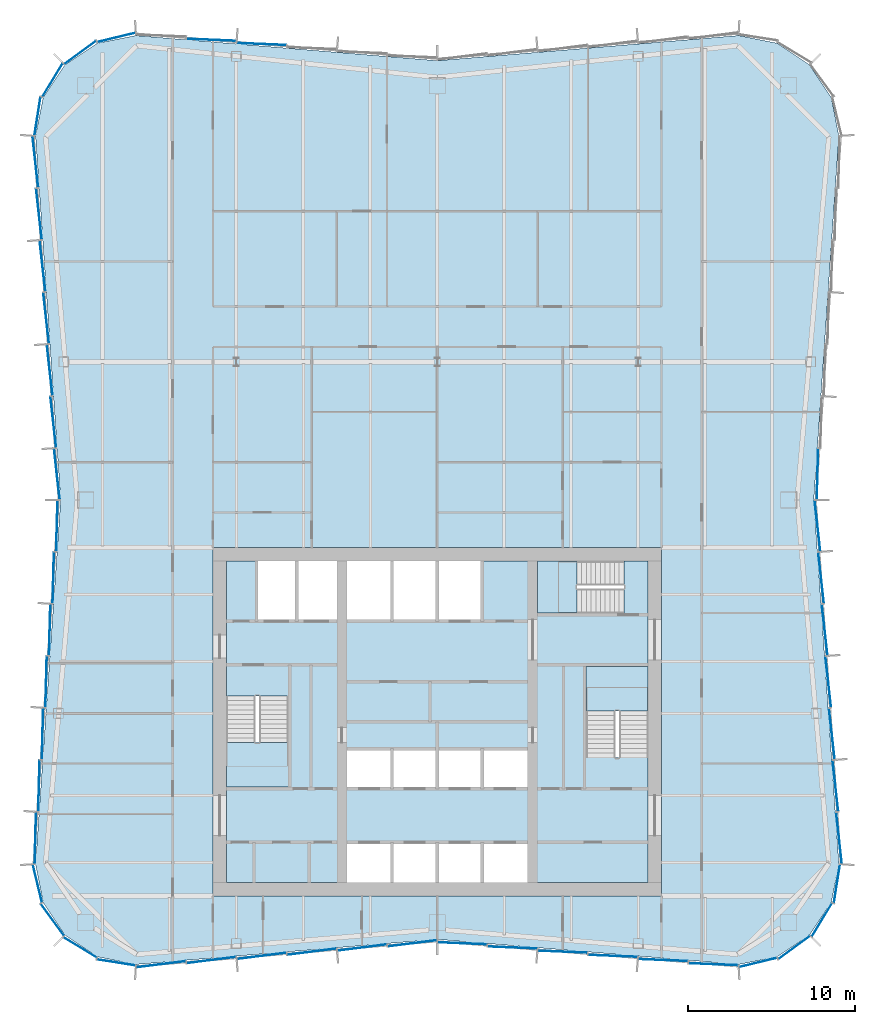
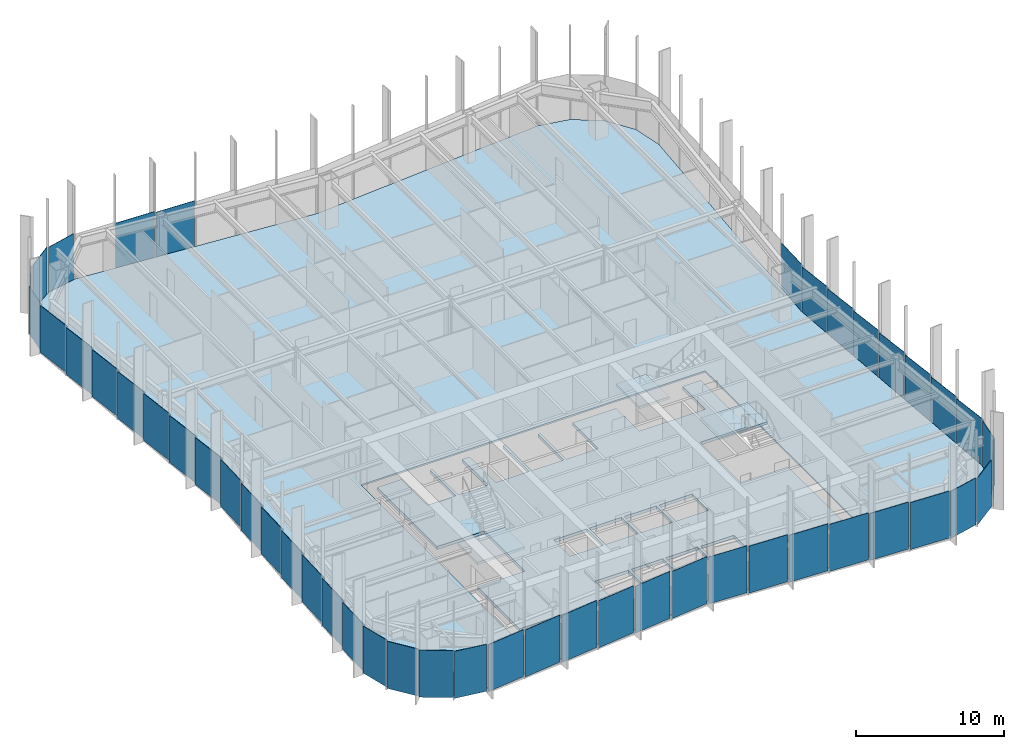
# One storey, part 9 of 15: 48 plates, 5 slabs, 10 elements without a shape of their own.
"""IFC4 building model written with IfcOpenShell, lengths in metres."""

from ifc_helpers import new_model, si_unit, direction, frame, origin, origin_2d, place, context, subcontext, project, spatial, polyline, rectangle, outline, extrude, material, layer, layer_set, type_object, element, aggregate, save


model = new_model("IFC4")

# Units and contexts
model_context = context("Model", 3, precision=1e-05, world=origin(), true_north=direction((0.0, 1.0)))
body_context = subcontext(model_context, "Body", "Model", "MODEL_VIEW")
ifc_project = project(units=[si_unit("LENGTHUNIT", "METRE"), si_unit("AREAUNIT", "SQUARE_METRE"), si_unit("VOLUMEUNIT", "CUBIC_METRE"), si_unit("PLANEANGLEUNIT", "RADIAN"), si_unit("MASSUNIT", "GRAM", prefix="KILO")], contexts=[model_context])

# Site, building, storey
site_placement = place(None, origin())
site = spatial("IfcSite", under=ifc_project, at=site_placement, CompositionType="ELEMENT")
building_placement = place(site_placement, origin())
building = spatial("IfcBuilding", under=site, at=building_placement, Name="Verdant Reach Tower", CompositionType="ELEMENT")
storey_placement = place(building_placement, frame((0.0, 0.0, 274.0)))
storey = spatial("IfcBuildingStorey", under=building, at=storey_placement, Name="L63", CompositionType="ELEMENT", Elevation=274.0)

# Stair, slab
ifc_material_1 = material(Name="Concrete C40/50", Category="concrete")
stair_type = type_object("IfcStairType", Name="CO-STAIR", PredefinedType="HALF_TURN_STAIR", material=ifc_material_1)
stair_1_placement = place(storey_placement, origin())
stair_1 = element("IfcStair", 1, at=stair_1_placement, inside=storey, type_object=stair_type, Name="L63 Exit stair 1", PredefinedType="HALF_TURN_STAIR")
ifc_layer_1 = layer(ifc_material_1, 0.199951171875)
ifc_layer_set_1 = layer_set([ifc_layer_1], Name="CO-STAIR-LANDING")
slab_type_1 = type_object("IfcSlabType", Name="CO-STAIR-LANDING", PredefinedType="LANDING", material=ifc_layer_set_1)
slab_1_placement = place(storey_placement, frame((0.0, 0.0, 1.800048828125)))
slab_1 = element("IfcSlab", 2, at=slab_1_placement, type_object=slab_type_1, Name="ST-1 landing 1", PredefinedType="LANDING", context=body_context, shape_type="SweptSolid", body=[
    extrude(outline(polyline([(-12.60009765625, 26.75), (-12.60009765625, 24.10009765625), (-8.89990234375, 24.10009765625), (-8.89990234375, 26.75), (-12.60009765625, 26.75)])), origin(), (0.0, 0.0, 1.0), 0.199951171875),
])
aggregate(stair_1, [slab_1])

stair_2_placement = place(storey_placement, origin())
stair_2 = element("IfcStair", 3, at=stair_2_placement, inside=storey, type_object=stair_type, Name="L63 Exit stair 2", PredefinedType="HALF_TURN_STAIR")
slab_2_placement = place(storey_placement, frame((0.0, 0.0, 1.800048828125)))
slab_2 = element("IfcSlab", 4, at=slab_2_placement, type_object=slab_type_1, Name="ST-2 landing 1", PredefinedType="LANDING", context=body_context, shape_type="SweptSolid", body=[
    extrude(outline(polyline([(12.60009765625, 28.64990234375), (12.60009765625, 31.300048828125), (8.89990234375, 31.300048828125), (8.89990234375, 28.64990234375), (12.60009765625, 28.64990234375)])), origin(), (0.0, 0.0, 1.0), 0.199951171875),
])
aggregate(stair_2, [slab_2])

stair_3_placement = place(storey_placement, origin())
stair_3 = element("IfcStair", 5, at=stair_3_placement, inside=storey, type_object=stair_type, Name="L63 Exit stair 3", PredefinedType="HALF_TURN_STAIR")
slab_3_placement = place(storey_placement, frame((0.0, 0.0, 1.800048828125)))
slab_3 = element("IfcSlab", 6, at=slab_3_placement, type_object=slab_type_1, Name="ST-3 landing 1", PredefinedType="LANDING", context=body_context, shape_type="SweptSolid", body=[
    extrude(outline(polyline([(8.35009765625, 37.60009765625), (6.0, 37.60009765625), (6.0, 34.5), (8.35009765625, 34.5), (8.35009765625, 37.60009765625)])), origin(), (0.0, 0.0, 1.0), 0.199951171875),
])
aggregate(stair_3, [slab_3])

# Curtain wall, plates
ifc_material_2 = material(Name="Anodised aluminium", Category="aluminium")
curtain_wall_type = type_object("IfcCurtainWallType", Name="EN-CW SYSTEM Z4", PredefinedType="NOTDEFINED", material=ifc_material_2)
curtain_wall_1_placement = place(storey_placement, origin())
curtain_wall_1 = element("IfcCurtainWall", 7, at=curtain_wall_1_placement, inside=storey, type_object=curtain_wall_type, Name="Curtain wall south-east corner, L63", PredefinedType="NOTDEFINED")
ifc_material_3 = material(Name="Tinted glass with champagne spandrel", Category="glass")
ifc_layer_2 = layer(ifc_material_3, 0.031982421875)
ifc_layer_set_2 = layer_set([ifc_layer_2], Name="EN-PANEL CHAMPAGNE")
plate_type_1 = type_object("IfcPlateType", Name="EN-PANEL CHAMPAGNE", PredefinedType="CURTAIN_PANEL", material=ifc_layer_set_2)
plate_1_placement = place(storey_placement, frame((22.984375, 16.169677734375, -0.221923828125), z_axis=(0.0, 0.0, 1.0), x_axis=(0.520291539577, 0.853988708265, 0.0)))
plate_1 = element("IfcPlate", 8, at=plate_1_placement, type_object=plate_type_1, Name="Glass panel south-east corner 3.1, L63", PredefinedType="CURTAIN_PANEL", context=body_context, shape_type="SweptSolid", body=[
    extrude(rectangle(XDim=2.32080078125, YDim=0.031982421875, at=origin_2d()), origin(), (0.0, 0.0, 1.0), 3.8720703125),
])
plate_2_placement = place(storey_placement, frame((23.87939453125, 18.326904296875, -0.221923828125), z_axis=(0.0, 0.0, 1.0), x_axis=(0.154324690427, 0.988020187003, 0.0)))
plate_2 = element("IfcPlate", 9, at=plate_2_placement, type_object=plate_type_1, Name="Glass panel south-east corner 4.1, L63", PredefinedType="CURTAIN_PANEL", context=body_context, shape_type="SweptSolid", body=[
    extrude(rectangle(XDim=2.313720703125, YDim=0.031982421875, at=origin_2d()), origin(), (0.0, 0.0, 1.0), 3.8720703125),
])

curtain_wall_2_placement = place(storey_placement, origin())
curtain_wall_2 = element("IfcCurtainWall", 10, at=curtain_wall_2_placement, inside=storey, type_object=curtain_wall_type, Name="Curtain wall east, L63", PredefinedType="NOTDEFINED")
plate_3_placement = place(storey_placement, frame((24.004638671875, 21.053955078125, -0.221923828125), z_axis=(0.0, 0.0, 1.0), x_axis=(-0.110205903836, 0.993908777886, 0.0)))
plate_3 = element("IfcPlate", 11, at=plate_3_placement, type_object=plate_type_1, Name="Glass panel east face part 1 1.1, L63", PredefinedType="CURTAIN_PANEL", context=body_context, shape_type="SweptSolid", body=[
    extrude(rectangle(XDim=3.0654296875, YDim=0.031982421875, at=origin_2d()), origin(), (0.0, 0.0, 1.0), 3.8720703125),
])
plate_4_placement = place(storey_placement, frame((23.790283203125, 24.16845703125, -0.221923828125), z_axis=(0.0, 0.0, 1.0), x_axis=(-0.110518162674, 0.993874104562, 0.0)))
plate_4 = element("IfcPlate", 12, at=plate_4_placement, type_object=plate_type_1, Name="Glass panel east face part 1 2.1, L63", PredefinedType="CURTAIN_PANEL", context=body_context, shape_type="SweptSolid", body=[
    extrude(rectangle(XDim=3.050537109375, YDim=0.031982421875, at=origin_2d()), origin(), (0.0, 0.0, 1.0), 3.8720703125),
])
plate_5_placement = place(storey_placement, frame((23.575927734375, 27.275634765625, -0.221923828125), z_axis=(0.0, 0.0, 1.0), x_axis=(-0.110518162674, 0.993874104562, 0.0)))
plate_5 = element("IfcPlate", 13, at=plate_5_placement, type_object=plate_type_1, Name="Glass panel east face part 1 3.1, L63", PredefinedType="CURTAIN_PANEL", context=body_context, shape_type="SweptSolid", body=[
    extrude(rectangle(XDim=3.050537109375, YDim=0.031982421875, at=origin_2d()), origin(), (0.0, 0.0, 1.0), 3.8720703125),
])

# Curtain wall, plate
curtain_wall_3_placement = place(storey_placement, origin())
curtain_wall_3 = element("IfcCurtainWall", 14, at=curtain_wall_3_placement, inside=storey, type_object=curtain_wall_type, Name="Curtain wall north-west corner, L63", PredefinedType="NOTDEFINED")
plate_6_placement = place(storey_placement, frame((-19.172607421875, 68.87939453125, -0.221923828125), z_axis=(0.0, 0.0, 1.0), x_axis=(-0.971652337104, -0.236414330786, 0.0)))
plate_6 = element("IfcPlate", 15, at=plate_6_placement, type_object=plate_type_1, Name="Glass panel north-west corner 1.1, L63", PredefinedType="CURTAIN_PANEL", context=body_context, shape_type="SweptSolid", body=[
    extrude(rectangle(XDim=2.314453125, YDim=0.031982421875, at=origin_2d()), origin(), (0.0, 0.0, 1.0), 3.8720703125),
])

# Curtain wall, plates
curtain_wall_4_placement = place(storey_placement, origin())
curtain_wall_4 = element("IfcCurtainWall", 16, at=curtain_wall_4_placement, inside=storey, type_object=curtain_wall_type, Name="Curtain wall west, L63", PredefinedType="NOTDEFINED")
plate_7_placement = place(storey_placement, frame((-23.1474609375, 49.01025390625, -0.221923828125), z_axis=(0.0, 0.0, 1.0), x_axis=(0.110518162674, -0.993874104562, 0.0)))
plate_7 = element("IfcPlate", 17, at=plate_7_placement, type_object=plate_type_1, Name="Glass panel west face part 1 5.1, L63", PredefinedType="CURTAIN_PANEL", context=body_context, shape_type="SweptSolid", body=[
    extrude(rectangle(XDim=3.050537109375, YDim=0.031982421875, at=origin_2d()), origin(), (0.0, 0.0, 1.0), 3.8720703125),
])
plate_8_placement = place(storey_placement, frame((-22.93310546875, 45.903076171875, -0.221923828125), z_axis=(0.0, 0.0, 1.0), x_axis=(0.110518162674, -0.993874104562, 0.0)))
plate_8 = element("IfcPlate", 18, at=plate_8_placement, type_object=plate_type_1, Name="Glass panel west face part 1 6.1, L63", PredefinedType="CURTAIN_PANEL", context=body_context, shape_type="SweptSolid", body=[
    extrude(rectangle(XDim=3.050537109375, YDim=0.031982421875, at=origin_2d()), origin(), (0.0, 0.0, 1.0), 3.8720703125),
])
plate_9_placement = place(storey_placement, frame((-22.718994140625, 42.7998046875, -0.221923828125), z_axis=(0.0, 0.0, 1.0), x_axis=(0.110603065042, -0.993864659802, 0.0)))
plate_9 = element("IfcPlate", 19, at=plate_9_placement, type_object=plate_type_1, Name="Glass panel west face part 1 7.1, L63", PredefinedType="CURTAIN_PANEL", context=body_context, shape_type="SweptSolid", body=[
    extrude(rectangle(XDim=3.042724609375, YDim=0.031982421875, at=origin_2d()), origin(), (0.0, 0.0, 1.0), 3.8720703125),
])
plate_10_placement = place(storey_placement, frame((-22.718994140625, 39.7001953125, -0.221923828125), z_axis=(0.0, 0.0, 1.0), x_axis=(-0.027050713229, -0.999634062502, 0.0)))
plate_10 = element("IfcPlate", 20, at=plate_10_placement, type_object=plate_type_1, Name="Glass panel west face part 2 1.1, L63", PredefinedType="CURTAIN_PANEL", context=body_context, shape_type="SweptSolid", body=[
    extrude(rectangle(XDim=3.042724609375, YDim=0.031982421875, at=origin_2d()), origin(), (0.0, 0.0, 1.0), 3.8720703125),
])
plate_11_placement = place(storey_placement, frame((-24.004638671875, 21.053955078125, -0.221923828125), z_axis=(0.0, 0.0, 1.0), x_axis=(-0.026651253217, -0.999644792265, 0.0)))
plate_11 = element("IfcPlate", 21, at=plate_11_placement, type_object=plate_type_1, Name="Glass panel west face part 2 7.1, L63", PredefinedType="CURTAIN_PANEL", context=body_context, shape_type="SweptSolid", body=[
    extrude(rectangle(XDim=3.0654296875, YDim=0.031982421875, at=origin_2d()), origin(), (0.0, 0.0, 1.0), 3.8720703125),
])

curtain_wall_5_placement = place(storey_placement, origin())
curtain_wall_5 = element("IfcCurtainWall", 22, at=curtain_wall_5_placement, inside=storey, type_object=curtain_wall_type, Name="Curtain wall south, L63", PredefinedType="NOTDEFINED")
plate_12_placement = place(storey_placement, frame((-10.49072265625, 14.013427734375, -0.221923828125), z_axis=(0.0, 0.0, 1.0), x_axis=(0.992194034542, 0.124703639961, 0.0)))
plate_12 = element("IfcPlate", 23, at=plate_12_placement, type_object=plate_type_1, Name="Glass panel south face part 1 3.1, L63", PredefinedType="CURTAIN_PANEL", context=body_context, shape_type="SweptSolid", body=[
    extrude(rectangle(XDim=2.9462890625, YDim=0.031982421875, at=origin_2d()), origin(), (0.0, 0.0, 1.0), 3.8720703125),
])
plate_13_placement = place(storey_placement, frame((-7.49072265625, 14.263427734375, -0.221923828125), z_axis=(0.0, 0.0, 1.0), x_axis=(0.992194034542, 0.124703639961, 0.0)))
plate_13 = element("IfcPlate", 24, at=plate_13_placement, type_object=plate_type_1, Name="Glass panel south face part 1 4.1, L63", PredefinedType="CURTAIN_PANEL", context=body_context, shape_type="SweptSolid", body=[
    extrude(rectangle(XDim=2.9462890625, YDim=0.031982421875, at=origin_2d()), origin(), (0.0, 0.0, 1.0), 3.8720703125),
])
plate_14_placement = place(storey_placement, frame((-4.49072265625, 14.513427734375, -0.221923828125), z_axis=(0.0, 0.0, 1.0), x_axis=(0.992194034542, 0.124703639961, 0.0)))
plate_14 = element("IfcPlate", 25, at=plate_14_placement, type_object=plate_type_1, Name="Glass panel south face part 1 5.1, L63", PredefinedType="CURTAIN_PANEL", context=body_context, shape_type="SweptSolid", body=[
    extrude(rectangle(XDim=2.9462890625, YDim=0.031982421875, at=origin_2d()), origin(), (0.0, 0.0, 1.0), 3.8720703125),
])
plate_15_placement = place(storey_placement, frame((13.49072265625, 13.763427734375, -0.221923828125), z_axis=(0.0, 0.0, 1.0), x_axis=(0.999149202059, -0.041241629766, 0.0)))
plate_15 = element("IfcPlate", 26, at=plate_15_placement, type_object=plate_type_1, Name="Glass panel south face part 2 5.1, L63", PredefinedType="CURTAIN_PANEL", context=body_context, shape_type="SweptSolid", body=[
    extrude(rectangle(XDim=2.9462890625, YDim=0.031982421875, at=origin_2d()), origin(), (0.0, 0.0, 1.0), 3.8720703125),
])
plate_16_placement = place(storey_placement, frame((16.49853515625, 13.51318359375, -0.221923828125), z_axis=(0.0, 0.0, 1.0), x_axis=(0.999164016711, -0.040881141246, 0.0)))
plate_16 = element("IfcPlate", 27, at=plate_16_placement, type_object=plate_type_1, Name="Glass panel south face part 2 6.1, L63", PredefinedType="CURTAIN_PANEL", context=body_context, shape_type="SweptSolid", body=[
    extrude(rectangle(XDim=2.9619140625, YDim=0.031982421875, at=origin_2d()), origin(), (0.0, 0.0, 1.0), 3.8720703125),
])

# Plate
ifc_material_4 = material(Name="Tinted glass with copper spandrel", Category="glass")
ifc_layer_3 = layer(ifc_material_4, 0.031982421875)
ifc_layer_set_3 = layer_set([ifc_layer_3], Name="EN-PANEL COPPER")
plate_type_2 = type_object("IfcPlateType", Name="EN-PANEL COPPER", PredefinedType="CURTAIN_PANEL", material=ifc_layer_set_3)
plate_17_placement = place(storey_placement, frame((23.36181640625, 30.3828125, -0.221923828125), z_axis=(0.0, 0.0, 1.0), x_axis=(-0.110518162674, 0.993874104562, 0.0)))
plate_17 = element("IfcPlate", 28, at=plate_17_placement, type_object=plate_type_2, Name="Glass panel east face part 1 4.1, L63", PredefinedType="CURTAIN_PANEL", context=body_context, shape_type="SweptSolid", body=[
    extrude(rectangle(XDim=3.050537109375, YDim=0.031982421875, at=origin_2d()), origin(), (0.0, 0.0, 1.0), 3.8720703125),
])

plate_18_placement = place(storey_placement, frame((23.1474609375, 33.48974609375, -0.221923828125), z_axis=(0.0, 0.0, 1.0), x_axis=(-0.110518162674, 0.993874104562, 0.0)))
plate_18 = element("IfcPlate", 29, at=plate_18_placement, type_object=plate_type_2, Name="Glass panel east face part 1 5.1, L63", PredefinedType="CURTAIN_PANEL", context=body_context, shape_type="SweptSolid", body=[
    extrude(rectangle(XDim=3.050537109375, YDim=0.031982421875, at=origin_2d()), origin(), (0.0, 0.0, 1.0), 3.8720703125),
])

# Curtain wall, plates
curtain_wall_6_placement = place(storey_placement, origin())
curtain_wall_6 = element("IfcCurtainWall", 30, at=curtain_wall_6_placement, inside=storey, type_object=curtain_wall_type, Name="Curtain wall north, L63", PredefinedType="NOTDEFINED")
plate_19_placement = place(storey_placement, frame((-10.49072265625, 68.486572265625, -0.221923828125), z_axis=(0.0, 0.0, 1.0), x_axis=(-0.999149202059, 0.041241629766, 0.0)))
plate_19 = element("IfcPlate", 31, at=plate_19_placement, type_object=plate_type_2, Name="Glass panel north face part 2 4.1, L63", PredefinedType="CURTAIN_PANEL", context=body_context, shape_type="SweptSolid", body=[
    extrude(rectangle(XDim=2.9462890625, YDim=0.031982421875, at=origin_2d()), origin(), (0.0, 0.0, 1.0), 3.8720703125),
])
plate_20_placement = place(storey_placement, frame((-13.49072265625, 68.736572265625, -0.221923828125), z_axis=(0.0, 0.0, 1.0), x_axis=(-0.999149202059, 0.041241629766, 0.0)))
plate_20 = element("IfcPlate", 32, at=plate_20_placement, type_object=plate_type_2, Name="Glass panel north face part 2 5.1, L63", PredefinedType="CURTAIN_PANEL", context=body_context, shape_type="SweptSolid", body=[
    extrude(rectangle(XDim=2.9462890625, YDim=0.031982421875, at=origin_2d()), origin(), (0.0, 0.0, 1.0), 3.8720703125),
])
aggregate(curtain_wall_6, [plate_19, plate_20])

# Plate
plate_21_placement = place(storey_placement, frame((-21.330322265625, 67.984375, -0.221923828125), z_axis=(0.0, 0.0, 1.0), x_axis=(-0.80745677573, -0.589926737254, 0.0)))
plate_21 = element("IfcPlate", 33, at=plate_21_placement, type_object=plate_type_2, Name="Glass panel north-west corner 2.1, L63", PredefinedType="CURTAIN_PANEL", context=body_context, shape_type="SweptSolid", body=[
    extrude(rectangle(XDim=2.32080078125, YDim=0.031982421875, at=origin_2d()), origin(), (0.0, 0.0, 1.0), 3.8720703125),
])

plate_22_placement = place(storey_placement, frame((-22.984375, 66.330322265625, -0.221923828125), z_axis=(0.0, 0.0, 1.0), x_axis=(-0.520291539577, -0.853988708265, 0.0)))
plate_22 = element("IfcPlate", 34, at=plate_22_placement, type_object=plate_type_2, Name="Glass panel north-west corner 3.1, L63", PredefinedType="CURTAIN_PANEL", context=body_context, shape_type="SweptSolid", body=[
    extrude(rectangle(XDim=2.32080078125, YDim=0.031982421875, at=origin_2d()), origin(), (0.0, 0.0, 1.0), 3.8720703125),
])

plate_23_placement = place(storey_placement, frame((-23.87939453125, 64.173095703125, -0.221923828125), z_axis=(0.0, 0.0, 1.0), x_axis=(-0.154324690427, -0.988020187003, 0.0)))
plate_23 = element("IfcPlate", 35, at=plate_23_placement, type_object=plate_type_2, Name="Glass panel north-west corner 4.1, L63", PredefinedType="CURTAIN_PANEL", context=body_context, shape_type="SweptSolid", body=[
    extrude(rectangle(XDim=2.313720703125, YDim=0.031982421875, at=origin_2d()), origin(), (0.0, 0.0, 1.0), 3.8720703125),
])

aggregate(curtain_wall_3, [plate_6, plate_21, plate_22, plate_23])

plate_24_placement = place(storey_placement, frame((-24.004638671875, 61.446044921875, -0.221923828125), z_axis=(0.0, 0.0, 1.0), x_axis=(0.110205903836, -0.993908777886, 0.0)))
plate_24 = element("IfcPlate", 36, at=plate_24_placement, type_object=plate_type_2, Name="Glass panel west face part 1 1.1, L63", PredefinedType="CURTAIN_PANEL", context=body_context, shape_type="SweptSolid", body=[
    extrude(rectangle(XDim=3.0654296875, YDim=0.031982421875, at=origin_2d()), origin(), (0.0, 0.0, 1.0), 3.8720703125),
])

plate_25_placement = place(storey_placement, frame((-23.790283203125, 58.33154296875, -0.221923828125), z_axis=(0.0, 0.0, 1.0), x_axis=(0.110518162674, -0.993874104562, 0.0)))
plate_25 = element("IfcPlate", 37, at=plate_25_placement, type_object=plate_type_2, Name="Glass panel west face part 1 2.1, L63", PredefinedType="CURTAIN_PANEL", context=body_context, shape_type="SweptSolid", body=[
    extrude(rectangle(XDim=3.050537109375, YDim=0.031982421875, at=origin_2d()), origin(), (0.0, 0.0, 1.0), 3.8720703125),
])

plate_26_placement = place(storey_placement, frame((-22.93310546875, 36.596923828125, -0.221923828125), z_axis=(0.0, 0.0, 1.0), x_axis=(-0.026965318308, -0.999636369691, 0.0)))
plate_26 = element("IfcPlate", 38, at=plate_26_placement, type_object=plate_type_2, Name="Glass panel west face part 2 2.1, L63", PredefinedType="CURTAIN_PANEL", context=body_context, shape_type="SweptSolid", body=[
    extrude(rectangle(XDim=3.050537109375, YDim=0.031982421875, at=origin_2d()), origin(), (0.0, 0.0, 1.0), 3.8720703125),
])

plate_27_placement = place(storey_placement, frame((-23.1474609375, 33.48974609375, -0.221923828125), z_axis=(0.0, 0.0, 1.0), x_axis=(-0.026965318308, -0.999636369691, 0.0)))
plate_27 = element("IfcPlate", 39, at=plate_27_placement, type_object=plate_type_2, Name="Glass panel west face part 2 3.1, L63", PredefinedType="CURTAIN_PANEL", context=body_context, shape_type="SweptSolid", body=[
    extrude(rectangle(XDim=3.050537109375, YDim=0.031982421875, at=origin_2d()), origin(), (0.0, 0.0, 1.0), 3.8720703125),
])

# Curtain wall, plates
curtain_wall_7_placement = place(storey_placement, origin())
curtain_wall_7 = element("IfcCurtainWall", 40, at=curtain_wall_7_placement, inside=storey, type_object=curtain_wall_type, Name="Curtain wall south-west corner, L63", PredefinedType="NOTDEFINED")
plate_28_placement = place(storey_placement, frame((-23.87939453125, 18.326904296875, -0.221923828125), z_axis=(0.0, 0.0, 1.0), x_axis=(0.236458850433, -0.971641503875, 0.0)))
plate_28 = element("IfcPlate", 41, at=plate_28_placement, type_object=plate_type_2, Name="Glass panel south-west corner 1.1, L63", PredefinedType="CURTAIN_PANEL", context=body_context, shape_type="SweptSolid", body=[
    extrude(rectangle(XDim=2.313720703125, YDim=0.031982421875, at=origin_2d()), origin(), (0.0, 0.0, 1.0), 3.8720703125),
])
plate_29_placement = place(storey_placement, frame((-22.984375, 16.169677734375, -0.221923828125), z_axis=(0.0, 0.0, 1.0), x_axis=(0.589926737254, -0.80745677573, 0.0)))
plate_29 = element("IfcPlate", 42, at=plate_29_placement, type_object=plate_type_2, Name="Glass panel south-west corner 2.1, L63", PredefinedType="CURTAIN_PANEL", context=body_context, shape_type="SweptSolid", body=[
    extrude(rectangle(XDim=2.32080078125, YDim=0.031982421875, at=origin_2d()), origin(), (0.0, 0.0, 1.0), 3.8720703125),
])

# Plate
plate_30_placement = place(storey_placement, frame((-1.495361328125, 14.76318359375, -0.221923828125), z_axis=(0.0, 0.0, 1.0), x_axis=(0.992177950603, 0.124831543836, 0.0)))
plate_30 = element("IfcPlate", 43, at=plate_30_placement, type_object=plate_type_2, Name="Glass panel south face part 1 6.1, L63", PredefinedType="CURTAIN_PANEL", context=body_context, shape_type="SweptSolid", body=[
    extrude(rectangle(XDim=2.93701171875, YDim=0.031982421875, at=origin_2d()), origin(), (0.0, 0.0, 1.0), 3.8720703125),
])

plate_31_placement = place(storey_placement, frame((1.495361328125, 14.76318359375, -0.221923828125), z_axis=(0.0, 0.0, 1.0), x_axis=(0.999143877249, -0.041370430933, 0.0)))
plate_31 = element("IfcPlate", 44, at=plate_31_placement, type_object=plate_type_2, Name="Glass panel south face part 2 1.1, L63", PredefinedType="CURTAIN_PANEL", context=body_context, shape_type="SweptSolid", body=[
    extrude(rectangle(XDim=2.93701171875, YDim=0.031982421875, at=origin_2d()), origin(), (0.0, 0.0, 1.0), 3.8720703125),
])

ifc_material_5 = material(Name="Tinted glass with dark bronze spandrel", Category="glass")
ifc_layer_4 = layer(ifc_material_5, 0.031982421875)
ifc_layer_set_4 = layer_set([ifc_layer_4], Name="EN-PANEL DARK")
plate_type_3 = type_object("IfcPlateType", Name="EN-PANEL DARK", PredefinedType="CURTAIN_PANEL", material=ifc_layer_set_4)
plate_32_placement = place(storey_placement, frame((19.172607421875, 13.62060546875, -0.221923828125), z_axis=(0.0, 0.0, 1.0), x_axis=(0.971652337104, 0.236414330786, 0.0)))
plate_32 = element("IfcPlate", 45, at=plate_32_placement, type_object=plate_type_3, Name="Glass panel south-east corner 1.1, L63", PredefinedType="CURTAIN_PANEL", context=body_context, shape_type="SweptSolid", body=[
    extrude(rectangle(XDim=2.314453125, YDim=0.031982421875, at=origin_2d()), origin(), (0.0, 0.0, 1.0), 3.8720703125),
])

plate_33_placement = place(storey_placement, frame((21.330322265625, 14.515625, -0.221923828125), z_axis=(0.0, 0.0, 1.0), x_axis=(0.80745677573, 0.589926737254, 0.0)))
plate_33 = element("IfcPlate", 46, at=plate_33_placement, type_object=plate_type_3, Name="Glass panel south-east corner 2.1, L63", PredefinedType="CURTAIN_PANEL", context=body_context, shape_type="SweptSolid", body=[
    extrude(rectangle(XDim=2.32080078125, YDim=0.031982421875, at=origin_2d()), origin(), (0.0, 0.0, 1.0), 3.8720703125),
])

aggregate(curtain_wall_1, [plate_32, plate_33, plate_1, plate_2])

plate_34_placement = place(storey_placement, frame((22.93310546875, 36.596923828125, -0.221923828125), z_axis=(0.0, 0.0, 1.0), x_axis=(-0.110518162674, 0.993874104562, 0.0)))
plate_34 = element("IfcPlate", 47, at=plate_34_placement, type_object=plate_type_3, Name="Glass panel east face part 1 6.1, L63", PredefinedType="CURTAIN_PANEL", context=body_context, shape_type="SweptSolid", body=[
    extrude(rectangle(XDim=3.050537109375, YDim=0.031982421875, at=origin_2d()), origin(), (0.0, 0.0, 1.0), 3.8720703125),
])

plate_35_placement = place(storey_placement, frame((22.718994140625, 39.7001953125, -0.221923828125), z_axis=(0.0, 0.0, 1.0), x_axis=(-0.110603065042, 0.993864659802, 0.0)))
plate_35 = element("IfcPlate", 48, at=plate_35_placement, type_object=plate_type_3, Name="Glass panel east face part 1 7.1, L63", PredefinedType="CURTAIN_PANEL", context=body_context, shape_type="SweptSolid", body=[
    extrude(rectangle(XDim=3.042724609375, YDim=0.031982421875, at=origin_2d()), origin(), (0.0, 0.0, 1.0), 3.8720703125),
])

plate_36_placement = place(storey_placement, frame((22.718994140625, 42.7998046875, -0.221923828125), z_axis=(0.0, 0.0, 1.0), x_axis=(0.027050713229, 0.999634062502, 0.0)))
plate_36 = element("IfcPlate", 49, at=plate_36_placement, type_object=plate_type_3, Name="Glass panel east face part 2 1.1, L63", PredefinedType="CURTAIN_PANEL", context=body_context, shape_type="SweptSolid", body=[
    extrude(rectangle(XDim=3.042724609375, YDim=0.031982421875, at=origin_2d()), origin(), (0.0, 0.0, 1.0), 3.8720703125),
])

aggregate(curtain_wall_2, [plate_3, plate_4, plate_5, plate_17, plate_18, plate_34, plate_35, plate_36])

plate_37_placement = place(storey_placement, frame((-23.575927734375, 55.224365234375, -0.221923828125), z_axis=(0.0, 0.0, 1.0), x_axis=(0.110518162674, -0.993874104562, 0.0)))
plate_37 = element("IfcPlate", 50, at=plate_37_placement, type_object=plate_type_3, Name="Glass panel west face part 1 3.1, L63", PredefinedType="CURTAIN_PANEL", context=body_context, shape_type="SweptSolid", body=[
    extrude(rectangle(XDim=3.050537109375, YDim=0.031982421875, at=origin_2d()), origin(), (0.0, 0.0, 1.0), 3.8720703125),
])

plate_38_placement = place(storey_placement, frame((-23.36181640625, 52.1171875, -0.221923828125), z_axis=(0.0, 0.0, 1.0), x_axis=(0.110518162674, -0.993874104562, 0.0)))
plate_38 = element("IfcPlate", 51, at=plate_38_placement, type_object=plate_type_3, Name="Glass panel west face part 1 4.1, L63", PredefinedType="CURTAIN_PANEL", context=body_context, shape_type="SweptSolid", body=[
    extrude(rectangle(XDim=3.050537109375, YDim=0.031982421875, at=origin_2d()), origin(), (0.0, 0.0, 1.0), 3.8720703125),
])

plate_39_placement = place(storey_placement, frame((-23.36181640625, 30.3828125, -0.221923828125), z_axis=(0.0, 0.0, 1.0), x_axis=(-0.026965318308, -0.999636369691, 0.0)))
plate_39 = element("IfcPlate", 52, at=plate_39_placement, type_object=plate_type_3, Name="Glass panel west face part 2 4.1, L63", PredefinedType="CURTAIN_PANEL", context=body_context, shape_type="SweptSolid", body=[
    extrude(rectangle(XDim=3.050537109375, YDim=0.031982421875, at=origin_2d()), origin(), (0.0, 0.0, 1.0), 3.8720703125),
])

plate_40_placement = place(storey_placement, frame((-23.575927734375, 27.275634765625, -0.221923828125), z_axis=(0.0, 0.0, 1.0), x_axis=(-0.026965318308, -0.999636369691, 0.0)))
plate_40 = element("IfcPlate", 53, at=plate_40_placement, type_object=plate_type_3, Name="Glass panel west face part 2 5.1, L63", PredefinedType="CURTAIN_PANEL", context=body_context, shape_type="SweptSolid", body=[
    extrude(rectangle(XDim=3.050537109375, YDim=0.031982421875, at=origin_2d()), origin(), (0.0, 0.0, 1.0), 3.8720703125),
])

plate_41_placement = place(storey_placement, frame((-23.790283203125, 24.16845703125, -0.221923828125), z_axis=(0.0, 0.0, 1.0), x_axis=(-0.026965318308, -0.999636369691, 0.0)))
plate_41 = element("IfcPlate", 54, at=plate_41_placement, type_object=plate_type_3, Name="Glass panel west face part 2 6.1, L63", PredefinedType="CURTAIN_PANEL", context=body_context, shape_type="SweptSolid", body=[
    extrude(rectangle(XDim=3.050537109375, YDim=0.031982421875, at=origin_2d()), origin(), (0.0, 0.0, 1.0), 3.8720703125),
])

aggregate(curtain_wall_4, [plate_24, plate_25, plate_37, plate_38, plate_7, plate_8, plate_9, plate_10, plate_26, plate_27, plate_39, plate_40, plate_41, plate_11])

plate_42_placement = place(storey_placement, frame((-21.330322265625, 14.515625, -0.221923828125), z_axis=(0.0, 0.0, 1.0), x_axis=(0.853988708265, -0.520291539577, 0.0)))
plate_42 = element("IfcPlate", 55, at=plate_42_placement, type_object=plate_type_3, Name="Glass panel south-west corner 3.1, L63", PredefinedType="CURTAIN_PANEL", context=body_context, shape_type="SweptSolid", body=[
    extrude(rectangle(XDim=2.32080078125, YDim=0.031982421875, at=origin_2d()), origin(), (0.0, 0.0, 1.0), 3.8720703125),
])

plate_43_placement = place(storey_placement, frame((-19.172607421875, 13.62060546875, -0.221923828125), z_axis=(0.0, 0.0, 1.0), x_axis=(0.98802725693, -0.154279420415, 0.0)))
plate_43 = element("IfcPlate", 56, at=plate_43_placement, type_object=plate_type_3, Name="Glass panel south-west corner 4.1, L63", PredefinedType="CURTAIN_PANEL", context=body_context, shape_type="SweptSolid", body=[
    extrude(rectangle(XDim=2.314453125, YDim=0.031982421875, at=origin_2d()), origin(), (0.0, 0.0, 1.0), 3.8720703125),
])

aggregate(curtain_wall_7, [plate_28, plate_29, plate_42, plate_43])

plate_44_placement = place(storey_placement, frame((-16.49853515625, 13.51318359375, -0.221923828125), z_axis=(0.0, 0.0, 1.0), x_axis=(0.992238962139, 0.124345655383, 0.0)))
plate_44 = element("IfcPlate", 57, at=plate_44_placement, type_object=plate_type_3, Name="Glass panel south face part 1 1.1, L63", PredefinedType="CURTAIN_PANEL", context=body_context, shape_type="SweptSolid", body=[
    extrude(rectangle(XDim=2.9619140625, YDim=0.031982421875, at=origin_2d()), origin(), (0.0, 0.0, 1.0), 3.8720703125),
])

plate_45_placement = place(storey_placement, frame((-13.49072265625, 13.763427734375, -0.221923828125), z_axis=(0.0, 0.0, 1.0), x_axis=(0.992194034542, 0.124703639961, 0.0)))
plate_45 = element("IfcPlate", 58, at=plate_45_placement, type_object=plate_type_3, Name="Glass panel south face part 1 2.1, L63", PredefinedType="CURTAIN_PANEL", context=body_context, shape_type="SweptSolid", body=[
    extrude(rectangle(XDim=2.9462890625, YDim=0.031982421875, at=origin_2d()), origin(), (0.0, 0.0, 1.0), 3.8720703125),
])

plate_46_placement = place(storey_placement, frame((4.49072265625, 14.513427734375, -0.221923828125), z_axis=(0.0, 0.0, 1.0), x_axis=(0.999149202059, -0.041241629766, 0.0)))
plate_46 = element("IfcPlate", 59, at=plate_46_placement, type_object=plate_type_3, Name="Glass panel south face part 2 2.1, L63", PredefinedType="CURTAIN_PANEL", context=body_context, shape_type="SweptSolid", body=[
    extrude(rectangle(XDim=2.9462890625, YDim=0.031982421875, at=origin_2d()), origin(), (0.0, 0.0, 1.0), 3.8720703125),
])

plate_47_placement = place(storey_placement, frame((7.49072265625, 14.263427734375, -0.221923828125), z_axis=(0.0, 0.0, 1.0), x_axis=(0.999149202059, -0.041241629766, 0.0)))
plate_47 = element("IfcPlate", 60, at=plate_47_placement, type_object=plate_type_3, Name="Glass panel south face part 2 3.1, L63", PredefinedType="CURTAIN_PANEL", context=body_context, shape_type="SweptSolid", body=[
    extrude(rectangle(XDim=2.9462890625, YDim=0.031982421875, at=origin_2d()), origin(), (0.0, 0.0, 1.0), 3.8720703125),
])

plate_48_placement = place(storey_placement, frame((10.49072265625, 14.013427734375, -0.221923828125), z_axis=(0.0, 0.0, 1.0), x_axis=(0.999149202059, -0.041241629766, 0.0)))
plate_48 = element("IfcPlate", 61, at=plate_48_placement, type_object=plate_type_3, Name="Glass panel south face part 2 4.1, L63", PredefinedType="CURTAIN_PANEL", context=body_context, shape_type="SweptSolid", body=[
    extrude(rectangle(XDim=2.9462890625, YDim=0.031982421875, at=origin_2d()), origin(), (0.0, 0.0, 1.0), 3.8720703125),
])

aggregate(curtain_wall_5, [plate_44, plate_45, plate_12, plate_13, plate_14, plate_30, plate_31, plate_46, plate_47, plate_48, plate_15, plate_16])

# Slabs
ifc_material_6 = material(Name="Concrete C35/45", Category="concrete")
ifc_layer_5 = layer(ifc_material_6, 0.1298828125)
ifc_layer_set_5 = layer_set([ifc_layer_5], Name="ST-SLAB-130")
slab_type_2 = type_object("IfcSlabType", Name="ST-SLAB-130", PredefinedType="FLOOR", material=ifc_layer_set_5)
slab_4_placement = place(storey_placement, frame((0.0, 0.0, -0.1298828125)))
element("IfcSlab", 62, at=slab_4_placement, inside=storey, type_object=slab_type_2, Name="Floor slab L63", PredefinedType="FLOOR", context=body_context, shape_type="SweptSolid", body=[
    extrude(outline(polyline([(0.0, 15.0), (-18.0, 13.5), (-20.296142578125, 13.956787109375), (-22.24267578125, 15.25732421875), (-23.543212890625, 17.203857421875), (-24.0, 19.5), (-22.5, 41.25), (-24.0, 63.0), (-23.543212890625, 65.296142578125), (-22.24267578125, 67.24267578125), (-20.296142578125, 68.543212890625), (-18.0, 69.0), (0.0, 67.5), (18.0, 69.0), (20.296142578125, 68.543212890625), (22.24267578125, 67.24267578125), (23.543212890625, 65.296142578125), (24.0, 63.0), (22.5, 41.25), (24.0, 19.5), (23.543212890625, 17.203857421875), (22.24267578125, 15.25732421875), (20.296142578125, 13.956787109375), (18.0, 13.5), (0.0, 15.0)]), holes=[polyline([(13.39990234375, 38.39990234375), (-13.39990234375, 38.39990234375), (-13.39990234375, 17.60009765625), (13.39990234375, 17.60009765625), (13.39990234375, 38.39990234375)])]), origin(), (0.0, 0.0, 1.0), 0.1298828125),
])
ifc_layer_6 = layer(ifc_material_6, 0.25)
ifc_layer_set_6 = layer_set([ifc_layer_6], Name="ST-SLAB-250")
slab_type_3 = type_object("IfcSlabType", Name="ST-SLAB-250", PredefinedType="FLOOR", material=ifc_layer_set_6)
slab_5_placement = place(storey_placement, frame((0.0, 0.0, -0.25)))
element("IfcSlab", 63, at=slab_5_placement, inside=storey, type_object=slab_type_3, Name="Core floor slab L63", PredefinedType="FLOOR", context=body_context, shape_type="SweptSolid", body=[
    extrude(outline(polyline([(12.60009765625, 18.39990234375), (5.39990234375, 18.39990234375), (5.39990234375, 20.699951171875), (2.800048828125, 20.699951171875), (2.800048828125, 18.39990234375), (2.60009765625, 18.39990234375), (2.60009765625, 20.699951171875), (0.10009765625, 20.699951171875), (0.10009765625, 18.39990234375), (-0.10009765625, 18.39990234375), (-0.10009765625, 20.699951171875), (-2.60009765625, 20.699951171875), (-2.60009765625, 18.39990234375), (-2.800048828125, 18.39990234375), (-2.800048828125, 20.699951171875), (-5.39990234375, 20.699951171875), (-5.39990234375, 18.39990234375), (-12.60009765625, 18.39990234375), (-12.60009765625, 24.10009765625), (-8.89990234375, 24.10009765625), (-8.89990234375, 29.548095703125), (-12.60009765625, 29.548095703125), (-12.60009765625, 37.60009765625), (-10.699951171875, 37.60009765625), (-10.699951171875, 34.10009765625), (-8.5, 34.10009765625), (-8.5, 37.60009765625), (-8.300048828125, 37.60009765625), (-8.300048828125, 34.10009765625), (-6.0, 34.10009765625), (-6.0, 37.60009765625), (-5.39990234375, 37.60009765625), (-5.39990234375, 34.10009765625), (-2.800048828125, 34.10009765625), (-2.800048828125, 37.60009765625), (-2.60009765625, 37.60009765625), (-2.60009765625, 34.10009765625), (-0.10009765625, 34.10009765625), (-0.10009765625, 37.60009765625), (0.10009765625, 37.60009765625), (0.10009765625, 34.10009765625), (2.60009765625, 34.10009765625), (2.60009765625, 37.60009765625), (6.0, 37.60009765625), (6.0, 34.5), (11.14794921875, 34.5), (11.14794921875, 37.60009765625), (12.60009765625, 37.60009765625), (12.60009765625, 31.300048828125), (8.89990234375, 31.300048828125), (8.89990234375, 25.85205078125), (12.60009765625, 25.85205078125), (12.60009765625, 18.39990234375)]), holes=[polyline([(-2.800048828125, 24.10009765625), (-2.800048828125, 26.300048828125), (-5.39990234375, 26.300048828125), (-5.39990234375, 24.10009765625), (-2.800048828125, 24.10009765625)]), polyline([(-0.10009765625, 24.10009765625), (-0.10009765625, 26.300048828125), (-2.60009765625, 26.300048828125), (-2.60009765625, 24.10009765625), (-0.10009765625, 24.10009765625)]), polyline([(2.60009765625, 24.10009765625), (2.60009765625, 26.300048828125), (0.10009765625, 26.300048828125), (0.10009765625, 24.10009765625), (2.60009765625, 24.10009765625)]), polyline([(5.39990234375, 24.10009765625), (5.39990234375, 26.300048828125), (2.800048828125, 26.300048828125), (2.800048828125, 24.10009765625), (5.39990234375, 24.10009765625)])]), origin(), (0.0, 0.0, 1.0), 0.25),
])

save(model, "model.ifc")
